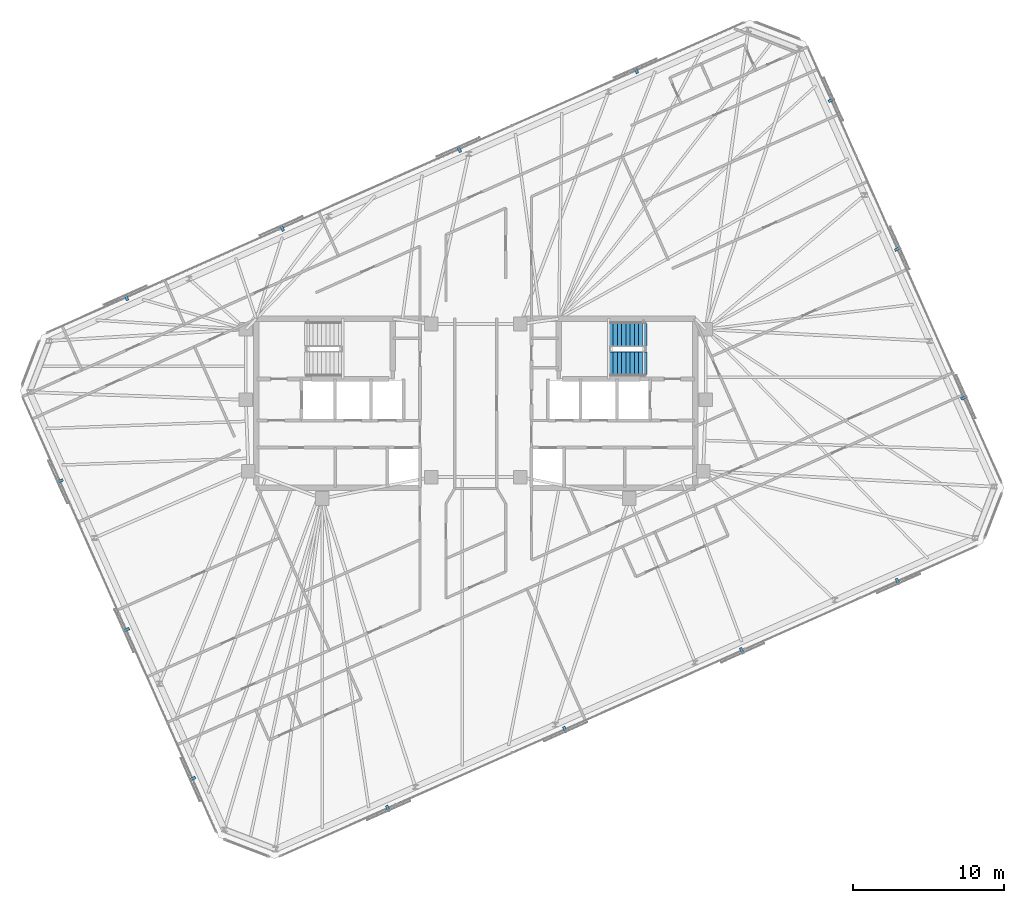
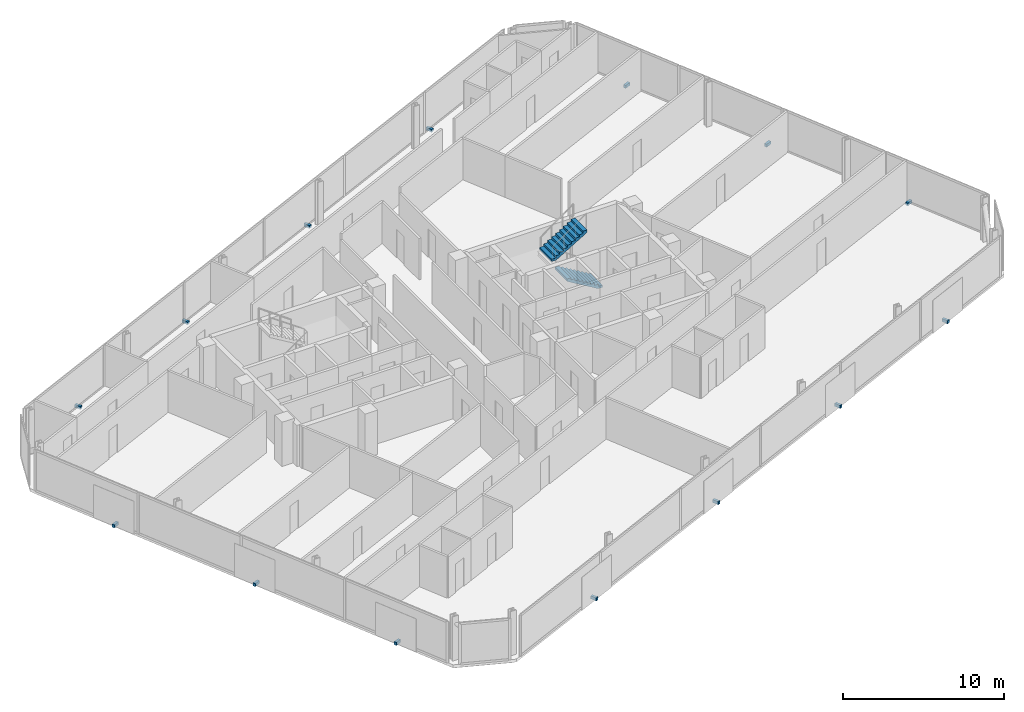
# One storey, part 17 of 18: 14 discrete accessories, 2 stair flights, 1 element without a shape of its own.
"""IFC4 building model written with IfcOpenShell, lengths in metres."""

import ifcopenshell
import ifcopenshell.guid

model = None  # the IFC model being written
_history = None  # IfcOwnerHistory: only IFC2X3 demands one
_inside = {}  # id of a spatial element -> (the spatial element, [elements in it])
_under = {}  # id of a project, library or spatial element -> (it, [spatial elements below it])
_declared = {}  # id of a project -> (the project, [libraries it declares])
_typed = {}  # id of a type object -> (the type object, [elements of that type])
_made_of = {}  # id of a material, layer set ... -> (it, [elements and type objects made of it])


def new_model(schema):
    """Start an empty IFC model of exactly this schema.

    Asked for "IFC4X3", IfcOpenShell would pick the latest addendum, in which some entities
    have other attributes; the version numbers below select the first issue.
    IFC2X3 requires an IfcOwnerHistory on every rooted entity: one is made here for all.
    """
    global model, _history
    if schema == "IFC4X3":
        model = ifcopenshell.file(schema_version=(4, 3, 0, 0))
    else:
        model = ifcopenshell.file(schema=schema)
    _inside.clear()
    _under.clear()
    _declared.clear()
    _typed.clear()
    _made_of.clear()
    _history = None
    if model.schema == "IFC2X3":
        org = make("IfcOrganization", Name="unknown")
        user = make(
            "IfcPersonAndOrganization",
            ThePerson=make("IfcPerson", FamilyName="unknown"),
            TheOrganization=org,
        )
        app = make(
            "IfcApplication",
            ApplicationDeveloper=org,
            Version="unknown",
            ApplicationFullName="unknown",
            ApplicationIdentifier="unknown",
        )
        _history = make(
            "IfcOwnerHistory",
            OwningUser=user,
            OwningApplication=app,
            ChangeAction="ADDED",
            CreationDate=0,
        )
    return model


def make(cls, **values):
    """One entity of the class cls with the attributes given. An attribute that is None is left unset."""
    return model.create_entity(
        cls, **{name: value for name, value in values.items() if value is not None}
    )


def rooted(cls, **values):
    """An entity with a GlobalId (a new one), such as an element, a storey or a relation."""
    return make(cls, GlobalId=ifcopenshell.guid.new(), OwnerHistory=_history, **values)


def si_unit(unit_type, name, prefix=None):
    """IfcSIUnit, for example si_unit("LENGTHUNIT", "METRE", prefix="MILLI")."""
    return make("IfcSIUnit", UnitType=unit_type, Prefix=prefix, Name=name)


def assignment(units):
    """IfcUnitAssignment: the units of a project."""
    return None if units is None else make("IfcUnitAssignment", Units=units)


def point(xyz):
    """IfcCartesianPoint."""
    return None if xyz is None else make("IfcCartesianPoint", Coordinates=xyz)


def direction(xyz):
    """IfcDirection."""
    return None if xyz is None else make("IfcDirection", DirectionRatios=xyz)


def frame(location, z_axis=None, x_axis=None):
    """IfcAxis2Placement3D, a coordinate frame: its origin and axes. An axis left out is left unset."""
    return make(
        "IfcAxis2Placement3D",
        Location=point(location),
        Axis=direction(z_axis),
        RefDirection=direction(x_axis),
    )


def frame_2d(location, x_axis=None):
    """IfcAxis2Placement2D, a coordinate frame in the plane: its origin and x axis."""
    return make(
        "IfcAxis2Placement2D", Location=point(location), RefDirection=direction(x_axis)
    )


def origin():
    """The frame at (0, 0, 0) with its axes left unset."""
    return frame((0.0, 0.0, 0.0))


def origin_2d():
    """The frame at (0, 0) in the plane with its x axis left unset."""
    return frame_2d((0.0, 0.0))


def place(relative_to, where):
    """IfcLocalPlacement: puts the frame where relative to a parent placement (None: the world)."""
    return make(
        "IfcLocalPlacement", PlacementRelTo=relative_to, RelativePlacement=where
    )


def context(
    kind, dimensions, precision=None, world=None, true_north=None, identifier=None
):
    """IfcGeometricRepresentationContext, for example the 3D "Model" context."""
    return make(
        "IfcGeometricRepresentationContext",
        ContextIdentifier=identifier,
        ContextType=kind,
        CoordinateSpaceDimension=dimensions,
        Precision=precision,
        WorldCoordinateSystem=world,
        TrueNorth=true_north,
    )


def subcontext(parent, identifier, kind, view, scale=None):
    """IfcGeometricRepresentationSubContext, for example "Body" below "Model"."""
    return make(
        "IfcGeometricRepresentationSubContext",
        ContextIdentifier=identifier,
        ContextType=kind,
        ParentContext=parent,
        TargetScale=scale,
        TargetView=view,
    )


def project(units=None, contexts=None):
    """IfcProject with its units and contexts."""
    return rooted(
        "IfcProject",
        Name="project",
        RepresentationContexts=contexts,
        UnitsInContext=assignment(units),
    )


def spatial(cls, under=None, at=None, **own):
    """A site, building, storey or space (cls), placed at a placement, below another one or the project."""
    s = rooted(cls, ObjectPlacement=at, **own)
    if under is not None:
        _under.setdefault(under.id(), (under, []))[1].append(s)
    return s


def polyline(points):
    """IfcPolyline through the points."""
    return make("IfcPolyline", Points=[point(p) for p in points])


def profile(cls, at=None, kind="AREA", **sizes):
    """A parametric profile (cls). Its sizes go by their IFC names, for example OverallWidth=200.0."""
    return make(cls, ProfileType=kind, Position=at, **sizes)


def rectangle(**sizes):
    """IfcRectangleProfileDef."""
    return profile("IfcRectangleProfileDef", **sizes)


def outline(outer, holes=None, kind="AREA"):
    """IfcArbitraryClosedProfileDef: a profile drawn as a closed curve; with holes, ...WithVoids."""
    if holes is None:
        return make("IfcArbitraryClosedProfileDef", ProfileType=kind, OuterCurve=outer)
    return make(
        "IfcArbitraryProfileDefWithVoids",
        ProfileType=kind,
        OuterCurve=outer,
        InnerCurves=holes,
    )


def extrude(swept, where, along, depth):
    """IfcExtrudedAreaSolid: the profile swept, set in the frame where, extruded along a direction by depth."""
    return make(
        "IfcExtrudedAreaSolid",
        SweptArea=swept,
        Position=where,
        ExtrudedDirection=direction(along),
        Depth=depth,
    )


def shape(context_of_items, identifier, shape_type, items):
    """IfcShapeRepresentation: the items that make up one representation, for example the "Body"."""
    return make(
        "IfcShapeRepresentation",
        ContextOfItems=context_of_items,
        RepresentationIdentifier=identifier,
        RepresentationType=shape_type,
        Items=items,
    )


def material(Name=None, Category=None):
    """IfcMaterial."""
    return make("IfcMaterial", Name=Name, Category=Category)


def made_of(thing, what):
    """Note that an element or type object is made of a material, layer set ...; save() writes the relation."""
    if what is not None:
        _made_of.setdefault(what.id(), (what, []))[1].append(thing)
    return thing


def type_object(cls, material=None, **own):
    """A type object (cls), such as IfcWallType, which elements share."""
    return made_of(rooted(cls, **own), material)


def element(
    cls,
    number,
    at=None,
    inside=None,
    cuts=None,
    type_object=None,
    material=None,
    context=None,
    identifier="Body",
    shape_type=None,
    held_by="IfcProductDefinitionShape",
    body=None,
    shapes=None,
    **own,
):
    """One element of the class cls, such as IfcWall. Its Tag is "e" and its number.

    at: its placement. inside: the storey or other place that contains it. cuts: it is an
    opening in that element (IfcRelVoidsElement). A single representation is given by context,
    identifier, shape_type and body (its items); several are given by shapes. held_by: the class
    of the entity that holds the representations. save() writes the other relations.
    """
    e = rooted(cls, Tag="e%d" % number, ObjectPlacement=at, **own)
    if body is not None:
        shapes = [shape(context, identifier, shape_type, body)]
    if shapes is not None:
        e.Representation = make(held_by, Representations=shapes)
    if inside is not None:
        _inside.setdefault(inside.id(), (inside, []))[1].append(e)
    if cuts is not None:
        rooted(
            "IfcRelVoidsElement", RelatingBuildingElement=cuts, RelatedOpeningElement=e
        )
    if type_object is not None:
        _typed.setdefault(type_object.id(), (type_object, []))[1].append(e)
    return made_of(e, material)


def aggregate(whole, parts):
    """IfcRelAggregates: a whole, such as a stair, and the parts it consists of."""
    return rooted("IfcRelAggregates", RelatingObject=whole, RelatedObjects=parts)


def save(model, path):
    """Write the relations noted so far, then the file.

    IfcRelAggregates (storeys below a building ...), IfcRelContainedInSpatialStructure (elements
    in a storey), IfcRelDefinesByType, IfcRelAssociatesMaterial and IfcRelDeclares: one each for
    every whole, place, type object, material and project.
    """
    for whole, parts in _under.values():
        aggregate(whole, parts)
    for where, things in _inside.values():
        rooted(
            "IfcRelContainedInSpatialStructure",
            RelatedElements=things,
            RelatingStructure=where,
        )
    for kind, things in _typed.values():
        rooted("IfcRelDefinesByType", RelatedObjects=things, RelatingType=kind)
    for what, things in _made_of.values():
        rooted("IfcRelAssociatesMaterial", RelatedObjects=things, RelatingMaterial=what)
    for by, libraries in _declared.values():
        rooted("IfcRelDeclares", RelatingContext=by, RelatedDefinitions=libraries)
    model.write(path)


model = new_model("IFC4")

# Units and contexts
model_context = context("Model", 3, precision=1e-05, world=origin(), true_north=direction((0.0, 1.0)))
body_context = subcontext(model_context, "Body", "Model", "MODEL_VIEW")
ifc_project = project(units=[si_unit("LENGTHUNIT", "METRE"), si_unit("AREAUNIT", "SQUARE_METRE"), si_unit("VOLUMEUNIT", "CUBIC_METRE"), si_unit("PLANEANGLEUNIT", "RADIAN"), si_unit("MASSUNIT", "GRAM", prefix="KILO")], contexts=[model_context])

# Site, building, storey
site_placement = place(None, origin())
site = spatial("IfcSite", under=ifc_project, at=site_placement, CompositionType="ELEMENT")
building_placement = place(site_placement, origin())
building = spatial("IfcBuilding", under=site, at=building_placement, Name="Menara Jurai Vektor", CompositionType="ELEMENT")
storey_placement = place(building_placement, frame((0.0, 0.0, 258.85009765625)))
storey = spatial("IfcBuildingStorey", under=building, at=storey_placement, Name="L69", CompositionType="ELEMENT", Elevation=258.85009765625)

# Stair, stair flights
ifc_material_1 = material(Name="Concrete C40/50", Category="concrete")
stair_type = type_object("IfcStairType", Name="STAIR-DOGLEG-1500", PredefinedType="HALF_TURN_STAIR", material=ifc_material_1)
stair_placement = place(storey_placement, origin())
stair = element("IfcStair", 1, at=stair_placement, inside=storey, type_object=stair_type, Name="Protected Exit Stair ST2 L69", PredefinedType="HALF_TURN_STAIR")
stair_flight_type = type_object("IfcStairFlightType", Name="STAIR-FLIGHT-1500", PredefinedType="STRAIGHT", material=ifc_material_1)
stair_flight_1_placement = place(storey_placement, frame((11.35009765625, 2.64990234375, 0.0), z_axis=(0.0, 0.0, 1.0), x_axis=(-1.0, 0.0, 0.0)))
stair_flight_1 = element("IfcStairFlight", 2, at=stair_flight_1_placement, type_object=stair_flight_type, Name="ST2 flight 1", NumberOfRisers=10, NumberOfTreads=9, PredefinedType="STRAIGHT", RiserHeight=0.1675, TreadLength=0.28, context=body_context, shape_type="SweptSolid", body=[
    extrude(outline(polyline([(0.0, 0.0), (0.0, 0.16748046875), (0.280029296875, 0.16748046875), (0.280029296875, 0.3349609375), (0.56005859375, 0.3349609375), (0.56005859375, 0.50244140625), (0.840087890625, 0.50244140625), (0.840087890625, 0.669921875), (1.1201171875, 0.669921875), (1.1201171875, 0.83740234375), (1.39990234375, 0.83740234375), (1.39990234375, 1.0048828125), (1.679931640625, 1.0048828125), (1.679931640625, 1.172607421875), (1.9599609375, 1.172607421875), (1.9599609375, 1.340087890625), (2.239990234375, 1.340087890625), (2.239990234375, 1.507568359375), (2.52001953125, 1.507568359375), (2.52001953125, 1.675048828125), (2.52001953125, 1.321044921875), (0.3115234375, 0.0), (0.0, 0.0)])), frame((0.0, 0.75, 0.0), z_axis=(0.0, -1.0, 0.0), x_axis=(1.0, 0.0, 0.0)), (0.0, 0.0, 1.0), 1.5),
])
stair_flight_2_placement = place(storey_placement, frame((8.830078125, 4.550048828125, 1.6748046875), z_axis=(0.0, 0.0, 1.0), x_axis=(1.0, 0.0, 0.0)))
stair_flight_2 = element("IfcStairFlight", 3, at=stair_flight_2_placement, type_object=stair_flight_type, Name="ST2 flight 2", NumberOfRisers=10, NumberOfTreads=9, PredefinedType="STRAIGHT", RiserHeight=0.1675, TreadLength=0.28, context=body_context, shape_type="SweptSolid", body=[
    extrude(outline(polyline([(0.0, 0.0), (0.0, 0.16748046875), (0.280029296875, 0.16748046875), (0.280029296875, 0.3349609375), (0.56005859375, 0.3349609375), (0.56005859375, 0.50244140625), (0.840087890625, 0.50244140625), (0.840087890625, 0.669921875), (1.1201171875, 0.669921875), (1.1201171875, 0.83740234375), (1.39990234375, 0.83740234375), (1.39990234375, 1.0048828125), (1.679931640625, 1.0048828125), (1.679931640625, 1.172607421875), (1.9599609375, 1.172607421875), (1.9599609375, 1.340087890625), (2.239990234375, 1.340087890625), (2.239990234375, 1.507568359375), (2.52001953125, 1.507568359375), (2.52001953125, 1.675048828125), (2.52001953125, 1.321044921875), (0.3115234375, 0.0), (0.0, 0.0)])), frame((0.0, 0.75, 0.0), z_axis=(0.0, -1.0, 0.0), x_axis=(1.0, 0.0, 0.0)), (0.0, 0.0, 1.0), 1.5),
])
aggregate(stair, [stair_flight_1, stair_flight_2])

# Discrete accessories
ifc_material_2 = material(Name="Steel S355", Category="steel")
discrete_accessory_type = type_object("IfcDiscreteAccessoryType", Name="ENV-ACC-BRACKET", PredefinedType="BRACKET", material=ifc_material_2)
for number, where, z_axis, x_axis, name in (
    (4, (-5.8330078125, -26.87451171875, -0.1298828125), (0.0, 0.0, 1.0), (0.913545457643, 0.406736643076, 0.0), "Solar Screen Stand-Off Bracket L69-S01"),
    (5, (5.906005859375, -21.648193359375, -0.1298828125), (0.0, 0.0, 1.0), (0.913545457643, 0.406736643076, 0.0), "Solar Screen Stand-Off Bracket L69-S02"),
    (6, (17.64501953125, -16.42138671875, -0.1298828125), (0.0, 0.0, 1.0), (0.913545457643, 0.406736643076, 0.0), "Solar Screen Stand-Off Bracket L69-S03"),
    (7, (27.975341796875, -11.822021484375, -0.1298828125), (0.0, 0.0, 1.0), (0.913545457643, 0.406736643076, 0.0), "Solar Screen Stand-Off Bracket L69-S04"),
    (8, (32.376708984375, 0.36572265625, -0.1298828125), (0.0, 0.0, 1.0), (-0.406736643076, 0.913545457643, 0.0), "Solar Screen Stand-Off Bracket L69-S05"),
    (9, (27.98388671875, 10.23193359375, -0.1298828125), (0.0, 0.0, 1.0), (-0.406736643076, 0.913545457643, 0.0), "Solar Screen Stand-Off Bracket L69-S06"),
    (10, (23.59130859375, 20.098388671875, -0.1298828125), (0.0, 0.0, 1.0), (-0.406736643076, 0.913545457643, 0.0), "Solar Screen Stand-Off Bracket L69-S07"),
    (11, (10.633056640625, 22.07470703125, -0.1298828125), (0.0, 0.0, 1.0), (-0.913545457643, -0.406736643076, 0.0), "Solar Screen Stand-Off Bracket L69-S08"),
    (12, (-1.10595703125, 16.84814453125, -0.1298828125), (0.0, 0.0, 1.0), (-0.913545457643, -0.406736643076, 0.0), "Solar Screen Stand-Off Bracket L69-S09"),
    (13, (-12.84521484375, 11.62158203125, -0.1298828125), (0.0, 0.0, 1.0), (-0.913545457643, -0.406736643076, 0.0), "Solar Screen Stand-Off Bracket L69-S10"),
    (14, (-23.17529296875, 7.022216796875, -0.1298828125), (0.0, 0.0, 1.0), (-0.913545457643, -0.406736643076, 0.0), "Solar Screen Stand-Off Bracket L69-S11"),
    (15, (-27.57666015625, -5.165771484375, -0.1298828125), (0.0, 0.0, 1.0), (0.406736643076, -0.913545457643, 0.0), "Solar Screen Stand-Off Bracket L69-S12"),
    (16, (-23.183837890625, -15.031982421875, -0.1298828125), (0.0, 0.0, 1.0), (0.406736643076, -0.913545457643, 0.0), "Solar Screen Stand-Off Bracket L69-S13"),
    (17, (-18.791259765625, -24.898193359375, -0.1298828125), (0.0, 0.0, 1.0), (0.406736643076, -0.913545457643, 0.0), "Solar Screen Stand-Off Bracket L69-S14"),
):
    element("IfcDiscreteAccessory", number, at=place(storey_placement, frame(where, z_axis=z_axis, x_axis=x_axis)), inside=storey, type_object=discrete_accessory_type, Name=name, PredefinedType="BRACKET", context=body_context, shape_type="SweptSolid", body=[
        extrude(rectangle(XDim=0.179931640625, YDim=0.43994140625, at=origin_2d()), origin(), (0.0, 0.0, 1.0), 0.219970703125),
    ])

save(model, "model.ifc")
